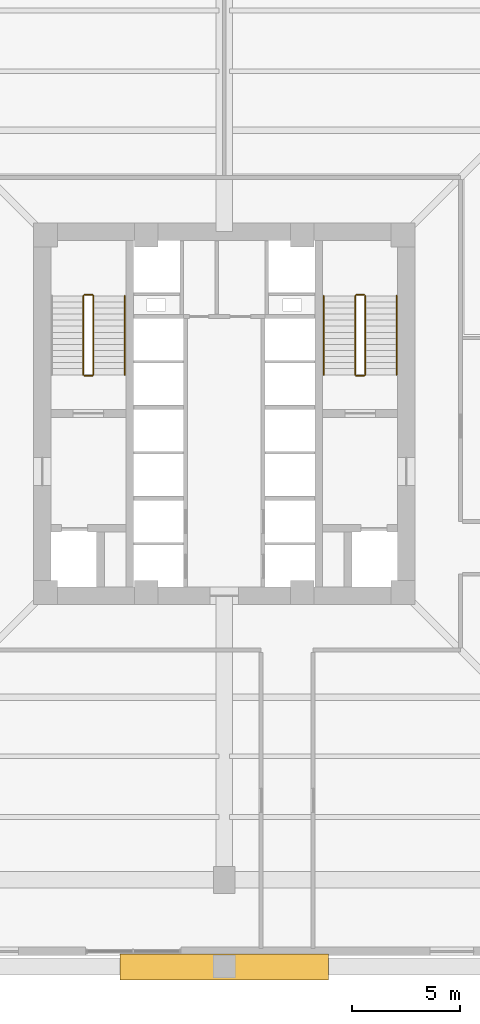
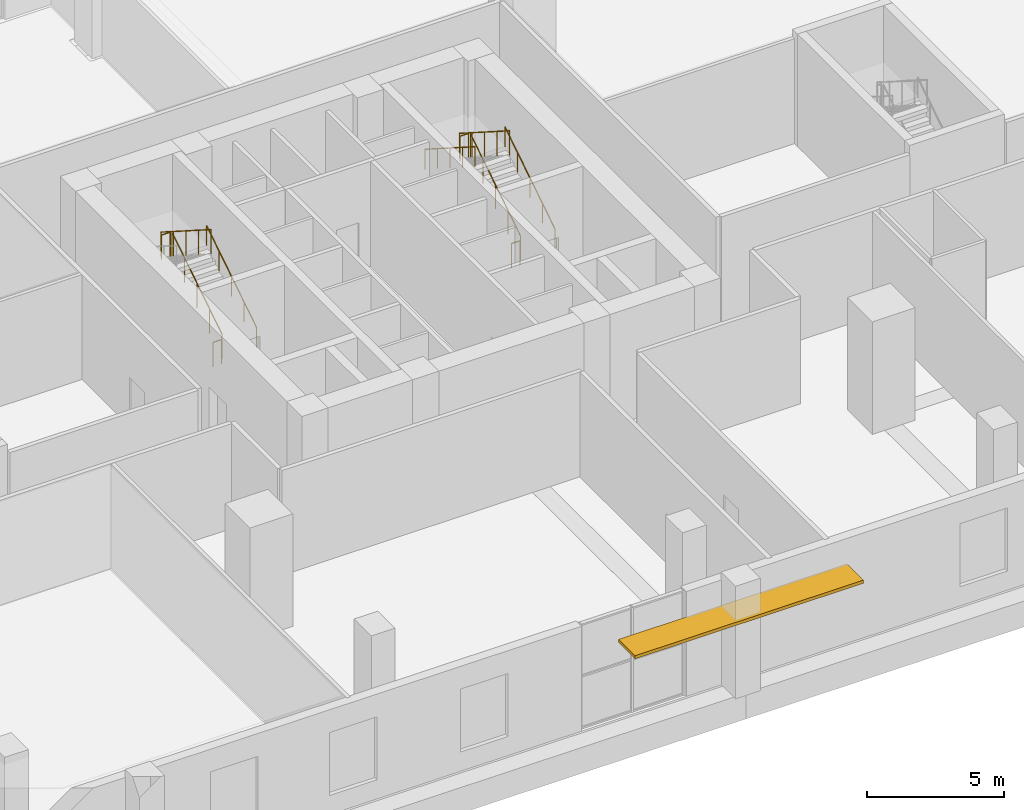
# One storey, part 12 of 15: 11 railings, 1 shading device.
"""IFC4 building model written with IfcOpenShell, lengths in metres."""

from ifc_helpers import new_model, si_unit, direction, frame, origin, origin_2d, place, context, subcontext, project, spatial, rectangle, circle, extrude, source, transform, mapped, material, layer, layer_set, type_object, element, save


model = new_model("IFC4")

# Units and contexts
model_context = context("Model", 3, precision=1e-05, world=origin(), true_north=direction((0.0, 1.0)))
body_context = subcontext(model_context, "Body", "Model", "MODEL_VIEW")
ifc_project = project(units=[si_unit("LENGTHUNIT", "METRE"), si_unit("AREAUNIT", "SQUARE_METRE"), si_unit("VOLUMEUNIT", "CUBIC_METRE"), si_unit("PLANEANGLEUNIT", "RADIAN"), si_unit("MASSUNIT", "GRAM", prefix="KILO"), si_unit("THERMODYNAMICTEMPERATUREUNIT", "KELVIN")], contexts=[model_context])

# Site, building, storey
site_placement = place(None, origin())
site = spatial("IfcSite", under=ifc_project, at=site_placement, CompositionType="ELEMENT")
building_placement = place(site_placement, origin())
building = spatial("IfcBuilding", under=site, at=building_placement, Name="Kosmvard Interchange Tower", CompositionType="ELEMENT")
storey_placement = place(building_placement, frame((0.0, 0.0, 11.0)))
storey = spatial("IfcBuildingStorey", under=building, at=storey_placement, Name="L02", CompositionType="ELEMENT", Elevation=11.0)

# Shading device
ifc_material_1 = material(Name="Solar bronze aluminium", Category="aluminium")
ifc_layer = layer(ifc_material_1, 0.139892578125, Name="Solar bronze aluminium")
ifc_layer_set = layer_set([ifc_layer], Name="Solar bronze aluminium")
shading_device_type = type_object("IfcShadingDeviceType", Name="Podium Entrance Horizontal Brise-Soleil Sunshade 1200", PredefinedType="USERDEFINED", material=ifc_layer_set)
shared_shape_1 = source(origin(), body_context, "Body", "SweptSolid", [
    extrude(rectangle(XDim=9.60009765625, YDim=1.199951171875, at=origin_2d()), origin(), (0.0, 0.0, 1.0), 0.139892578125),
])
shading_device_placement = place(storey_placement, frame((0.0, -25.52001953125, 3.330078125), z_axis=(0.0, 0.0, 1.0), x_axis=(1.0, 0.0, 0.0)))
element("IfcShadingDevice", 1, at=shading_device_placement, inside=storey, type_object=shading_device_type, Name="L02 Horizontal Brise-Soleil Sunshade S", ObjectType="SUNSHADE", PredefinedType="USERDEFINED", context=body_context, shape_type="MappedRepresentation", body=[
    mapped(shared_shape_1, transform((0.0, 0.0, 0.0), scale=1.0)),
])

# Railings
ifc_material_2 = material(Name="Steel S355", Category="steel")
railing_type_1 = type_object("IfcRailingType", Name="Stair & Terrace Safety Guardrail 1100 Steel", PredefinedType="GUARDRAIL", material=ifc_material_2)
shared_shape_2 = source(origin(), body_context, "Body", "SweptSolid", [
    extrude(circle(Radius=0.02392578125, at=origin_2d()), frame((0.0, 0.0, 1.076171875), z_axis=(-1.0, 0.0, 0.0), x_axis=(0.0, -1.0, 0.0)), (0.0, 0.0, 1.0), 0.35986328125),
    extrude(circle(Radius=0.02099609375, at=origin_2d()), origin(), (0.0, 0.0, 1.0), 1.052001953125),
    extrude(circle(Radius=0.02099609375, at=origin_2d()), frame((-0.35986328125, 0.0, 0.0)), (0.0, 0.0, 1.0), 1.052001953125),
])
for number, where, name in (
    (2, (-6.090087890625, 5.489990234375, 2.5), "L02 ST-1 stair guard 2"),
    (3, (-6.090087890625, 1.75, 0.0), "L02 ST-1 stair guard 4"),
    (4, (6.449951171875, 5.489990234375, 2.5), "L02 ST-2 stair guard 2"),
    (5, (6.449951171875, 1.75, 0.0), "L02 ST-2 stair guard 4"),
):
    element("IfcRailing", number, at=place(storey_placement, frame(where)), inside=storey, type_object=railing_type_1, Name=name, PredefinedType="GUARDRAIL", context=body_context, shape_type="MappedRepresentation", body=[
        mapped(shared_shape_2, transform((0.0, 0.0, 0.0), scale=1.0)),
    ])
shared_shape_3 = source(origin(), body_context, "Body", "SweptSolid", [
    extrude(circle(Radius=0.02392578125, at=origin_2d()), frame((0.0, 0.0, 1.076171875), z_axis=(0.0, 0.843111507901, 0.53773877045), x_axis=(-1.0, 0.0, 0.0)), (0.0, 0.0, 1.0), 4.317138671875),
    extrude(circle(Radius=0.02099609375, at=origin_2d()), origin(), (0.0, 0.0, 1.0), 1.052001953125),
    extrude(circle(Radius=0.02099609375, at=origin_2d()), frame((0.0, 0.909912109375, 0.580322265625)), (0.0, 0.0, 1.0), 1.052001953125),
    extrude(circle(Radius=0.02099609375, at=origin_2d()), frame((0.0, 1.81982421875, 1.16064453125)), (0.0, 0.0, 1.0), 1.052001953125),
    extrude(circle(Radius=0.02099609375, at=origin_2d()), frame((0.0, 2.72998046875, 1.7412109375)), (0.0, 0.0, 1.0), 1.052001953125),
    extrude(circle(Radius=0.02099609375, at=origin_2d()), frame((0.0, 3.639892578125, 2.321533203125)), (0.0, 0.0, 1.0), 1.052001953125),
])
for number, where, name in (
    (6, (-6.0400390625, 1.800048828125, 0.178466796875), "L02 ST-1 stair guard 1"),
    (7, (6.5, 1.800048828125, 0.178466796875), "L02 ST-2 stair guard 1"),
):
    element("IfcRailing", number, at=place(storey_placement, frame(where)), inside=storey, type_object=railing_type_1, Name=name, PredefinedType="GUARDRAIL", context=body_context, shape_type="MappedRepresentation", body=[
        mapped(shared_shape_3, transform((0.0, 0.0, 0.0), scale=1.0)),
    ])
shared_shape_4 = source(origin(), body_context, "Body", "SweptSolid", [
    extrude(circle(Radius=0.02392578125, at=origin_2d()), frame((0.0, 0.0, 1.076171875), z_axis=(0.0, -0.843111507901, 0.53773877045), x_axis=(1.0, 0.0, 0.0)), (0.0, 0.0, 1.0), 4.317138671875),
    extrude(circle(Radius=0.02099609375, at=origin_2d()), origin(), (0.0, 0.0, 1.0), 1.052001953125),
    extrude(circle(Radius=0.02099609375, at=origin_2d()), frame((0.0, -0.909912109375, 0.580322265625)), (0.0, 0.0, 1.0), 1.052001953125),
    extrude(circle(Radius=0.02099609375, at=origin_2d()), frame((0.0, -1.81982421875, 1.16064453125)), (0.0, 0.0, 1.0), 1.052001953125),
    extrude(circle(Radius=0.02099609375, at=origin_2d()), frame((0.0, -2.72998046875, 1.7412109375)), (0.0, 0.0, 1.0), 1.052001953125),
    extrude(circle(Radius=0.02099609375, at=origin_2d()), frame((0.0, -3.639892578125, 2.321533203125)), (0.0, 0.0, 1.0), 1.052001953125),
])
for number, where, name in (
    (8, (-6.5, 5.43994140625, 2.678466796875), "L02 ST-1 stair guard 3"),
    (9, (6.0400390625, 5.43994140625, 2.678466796875), "L02 ST-2 stair guard 3"),
):
    element("IfcRailing", number, at=place(storey_placement, frame(where)), inside=storey, type_object=railing_type_1, Name=name, PredefinedType="GUARDRAIL", context=body_context, shape_type="MappedRepresentation", body=[
        mapped(shared_shape_4, transform((0.0, 0.0, 0.0), scale=1.0)),
    ])
railing_type_2 = type_object("IfcRailingType", Name="Wall-Mounted Stair Handrail 900 Steel", PredefinedType="HANDRAIL", material=ifc_material_2)
shared_shape_5 = source(origin(), body_context, "Body", "SweptSolid", [
    extrude(circle(Radius=0.02392578125, at=origin_2d()), frame((0.0, 0.0, 0.8759765625), z_axis=(0.0, 0.843111507901, 0.53773877045), x_axis=(-1.0, 0.0, 0.0)), (0.0, 0.0, 1.0), 4.317138671875),
    extrude(circle(Radius=0.02099609375, at=origin_2d()), origin(), (0.0, 0.0, 1.0), 0.851806640625),
    extrude(circle(Radius=0.02099609375, at=origin_2d()), frame((0.0, 0.909912109375, 0.580322265625)), (0.0, 0.0, 1.0), 0.851806640625),
    extrude(circle(Radius=0.02099609375, at=origin_2d()), frame((0.0, 1.81982421875, 1.16064453125)), (0.0, 0.0, 1.0), 0.851806640625),
    extrude(circle(Radius=0.02099609375, at=origin_2d()), frame((0.0, 2.72998046875, 1.7412109375)), (0.0, 0.0, 1.0), 0.851806640625),
    extrude(circle(Radius=0.02099609375, at=origin_2d()), frame((0.0, 3.639892578125, 2.321533203125)), (0.0, 0.0, 1.0), 0.851806640625),
])
for number, where, name in (
    (10, (-4.590087890625, 1.800048828125, 0.178466796875), "L02 ST-1 stair handrail 1"),
    (11, (7.949951171875, 1.800048828125, 0.178466796875), "L02 ST-2 stair handrail 1"),
):
    element("IfcRailing", number, at=place(storey_placement, frame(where)), inside=storey, type_object=railing_type_2, Name=name, PredefinedType="HANDRAIL", context=body_context, shape_type="MappedRepresentation", body=[
        mapped(shared_shape_5, transform((0.0, 0.0, 0.0), scale=1.0)),
    ])
shared_shape_6 = source(origin(), body_context, "Body", "SweptSolid", [
    extrude(circle(Radius=0.02392578125, at=origin_2d()), frame((0.0, 0.0, 0.8759765625), z_axis=(0.0, -0.843111507901, 0.53773877045), x_axis=(1.0, 0.0, 0.0)), (0.0, 0.0, 1.0), 4.317138671875),
    extrude(circle(Radius=0.02099609375, at=origin_2d()), origin(), (0.0, 0.0, 1.0), 0.851806640625),
    extrude(circle(Radius=0.02099609375, at=origin_2d()), frame((0.0, -0.909912109375, 0.580322265625)), (0.0, 0.0, 1.0), 0.851806640625),
    extrude(circle(Radius=0.02099609375, at=origin_2d()), frame((0.0, -1.81982421875, 1.16064453125)), (0.0, 0.0, 1.0), 0.851806640625),
    extrude(circle(Radius=0.02099609375, at=origin_2d()), frame((0.0, -2.72998046875, 1.7412109375)), (0.0, 0.0, 1.0), 0.851806640625),
    extrude(circle(Radius=0.02099609375, at=origin_2d()), frame((0.0, -3.639892578125, 2.321533203125)), (0.0, 0.0, 1.0), 0.851806640625),
])
railing_placement = place(storey_placement, frame((4.590087890625, 5.43994140625, 2.678466796875)))
element("IfcRailing", 12, at=railing_placement, inside=storey, type_object=railing_type_2, Name="L02 ST-2 stair handrail 2", PredefinedType="HANDRAIL", context=body_context, shape_type="MappedRepresentation", body=[
    mapped(shared_shape_6, transform((0.0, 0.0, 0.0), scale=1.0)),
])

save(model, "model.ifc")
